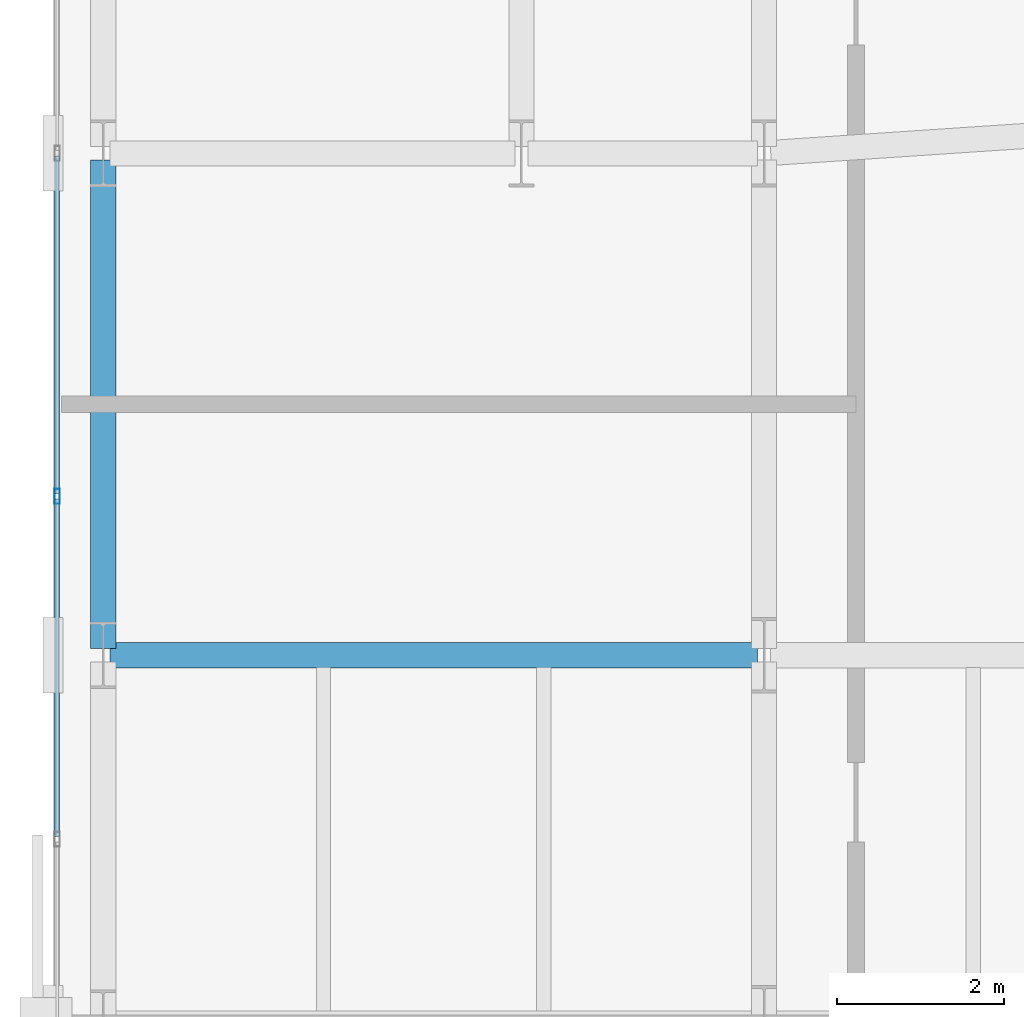
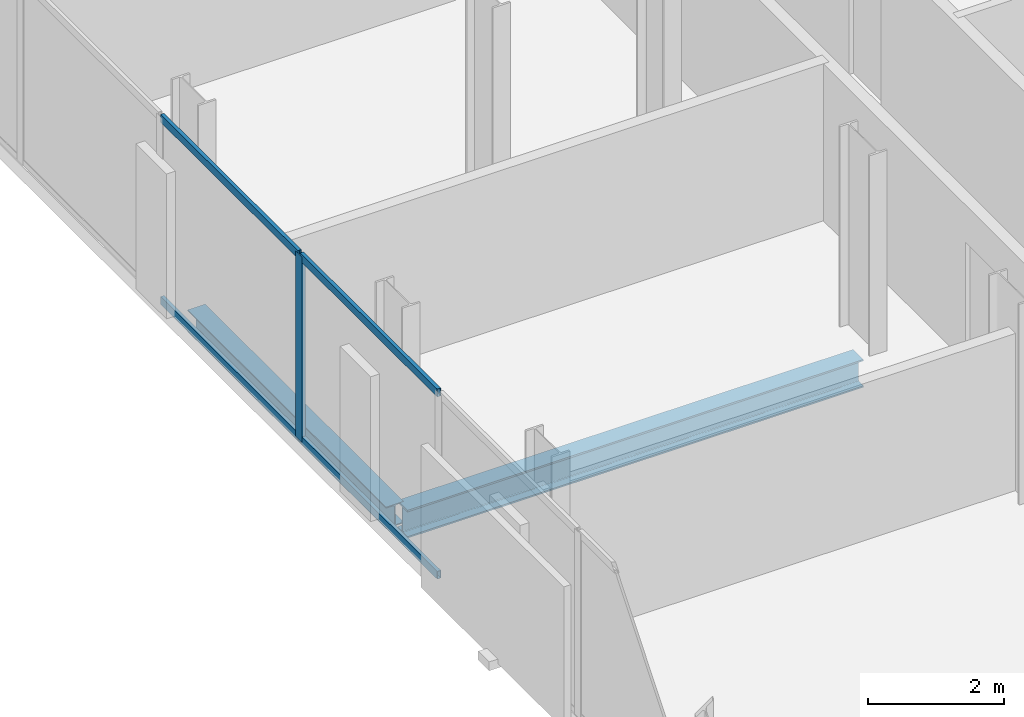
# One storey, part 9 of 32: 5 members, 2 beams, 1 element without a shape of its own.
"""IFC4 building model written with IfcOpenShell, lengths in metres."""

from ifc_helpers import new_model, si_unit, direction, frame, origin, origin_2d, place, context, subcontext, project, spatial, hollow_rectangle, i_section, extrude, material, layer, layer_set, material_profile, profile_set, type_object, element, aggregate, save


model = new_model("IFC4")

# Units and contexts
model_context = context("Model", 3, precision=1e-05, world=origin(), true_north=direction((0.0, 1.0)))
body_context = subcontext(model_context, "Body", "Model", "MODEL_VIEW")
ifc_project = project(units=[si_unit("LENGTHUNIT", "METRE"), si_unit("AREAUNIT", "SQUARE_METRE"), si_unit("VOLUMEUNIT", "CUBIC_METRE"), si_unit("PLANEANGLEUNIT", "RADIAN"), si_unit("MASSUNIT", "GRAM", prefix="KILO")], contexts=[model_context])

# Site, building, storey
site_placement = place(None, origin())
site = spatial("IfcSite", under=ifc_project, at=site_placement, CompositionType="ELEMENT")
building_placement = place(site_placement, origin())
building = spatial("IfcBuilding", under=site, at=building_placement, Name="Catumbela Crestline Tower", CompositionType="ELEMENT")
storey_placement = place(building_placement, frame((0.0, 0.0, 61.8)))
storey = spatial("IfcBuildingStorey", under=building, at=storey_placement, Name="L15", CompositionType="ELEMENT", Elevation=61.8)

# Beam
ifc_material_1 = material(Name="Structural steel S355J2", Category="steel")
ifc_material_profile_1 = material_profile(ifc_material_1, i_section(OverallWidth=0.3, OverallDepth=0.5, WebThickness=0.0145, FlangeThickness=0.028, FilletRadius=0.027, at=origin_2d()), Name="HEB 500")
ifc_profile_set_1 = profile_set([ifc_material_profile_1], Name="Structural steel S355J2")
beam_type_1 = type_object("IfcBeamType", Name="BG-HEB500", PredefinedType="BEAM", material=ifc_profile_set_1)
beam_1_placement = place(storey_placement, frame((0.68, 18.0, -0.51), z_axis=(1.0, 0.0, 0.0), x_axis=(0.0, 1.0, 0.0)))
element("IfcBeam", 1, at=beam_1_placement, inside=storey, type_object=beam_type_1, Name="L15 Beam BM-L15-WEW54", PredefinedType="BEAM", context=body_context, shape_type="SweptSolid", body=[
    extrude(i_section(OverallWidth=0.3, OverallDepth=0.5, WebThickness=0.0145, FlangeThickness=0.028, FilletRadius=0.027, at=origin_2d()), origin(), (0.0, 0.0, 1.0), 7.74),
])

# Curtain wall, member
ifc_material_2 = material(Name="Aluminium alloy AW-6060-T66", Category="aluminium")
ifc_layer = layer(ifc_material_2, 0.18, Name="Aluminium alloy AW-6060-T66")
ifc_layer_set = layer_set([ifc_layer], Name="Aluminium alloy AW-6060-T66")
curtain_wall_type = type_object("IfcCurtainWallType", Name="CWU-Z1", PredefinedType="USERDEFINED", material=ifc_layer_set)
curtain_wall_placement = place(storey_placement, origin())
curtain_wall = element("IfcCurtainWall", 2, at=curtain_wall_placement, inside=storey, type_object=curtain_wall_type, Name="L15 Unitised Curtain Wall CW-L15-E9S1", ObjectType="UNITISED", PredefinedType="USERDEFINED")
ifc_material_profile_2 = material_profile(ifc_material_2, hollow_rectangle(XDim=0.065, YDim=0.18, WallThickness=0.004, at=origin_2d()), Name="ALU 180x65x4")
ifc_profile_set_2 = profile_set([ifc_material_profile_2], Name="Aluminium alloy AW-6060-T66")
member_type_1 = type_object("IfcMemberType", Name="MUL-180X65", PredefinedType="MULLION", material=ifc_profile_set_2)
member_1_placement = place(storey_placement, frame((0.05, 19.9, 0.0), z_axis=(0.0, 0.0, 1.0), x_axis=(1.0, 0.0, 0.0)))
member_1 = element("IfcMember", 3, at=member_1_placement, type_object=member_type_1, Name="CWU-Z1 mullion 7", PredefinedType="MULLION", context=body_context, shape_type="SweptSolid", body=[
    extrude(hollow_rectangle(XDim=0.065, YDim=0.18, WallThickness=0.004, at=origin_2d()), origin(), (0.0, 0.0, 1.0), 3.33),
])

# Beam
ifc_material_profile_3 = material_profile(ifc_material_1, i_section(OverallWidth=0.3, OverallDepth=0.39, WebThickness=0.011, FlangeThickness=0.019, FilletRadius=0.027, at=origin_2d()), Name="HEA 400")
ifc_profile_set_3 = profile_set([ifc_material_profile_3], Name="Structural steel S355J2")
beam_type_2 = type_object("IfcBeamType", Name="BS-HEA400", PredefinedType="SPANDREL", material=ifc_profile_set_3)
beam_2_placement = place(storey_placement, frame((0.6, 18.08, -0.455), z_axis=(0.0, 1.0, 0.0), x_axis=(-1.0, 0.0, 0.0)))
element("IfcBeam", 4, at=beam_2_placement, inside=storey, type_object=beam_type_2, Name="L15 Spandrel SP-L15-WNS60", PredefinedType="SPANDREL", context=body_context, shape_type="SweptSolid", body=[
    extrude(i_section(OverallWidth=0.3, OverallDepth=0.39, WebThickness=0.011, FlangeThickness=0.019, FilletRadius=0.027, at=origin_2d()), origin(), (0.0, 0.0, 1.0), 5.84),
])

# Member
ifc_material_profile_4 = material_profile(ifc_material_2, hollow_rectangle(XDim=0.06, YDim=0.14, WallThickness=0.004, at=origin_2d()), Name="ALU 140x60x4")
ifc_profile_set_4 = profile_set([ifc_material_profile_4], Name="Aluminium alloy AW-6060-T66")
member_type_2 = type_object("IfcMemberType", Name="TRN-140X60", PredefinedType="USERDEFINED", material=ifc_profile_set_4)
member_2_placement = place(storey_placement, frame((0.05, 23.9675, 0.03), z_axis=(0.0, -1.0, 0.0), x_axis=(1.0, 0.0, 0.0)))
member_2 = element("IfcMember", 5, at=member_2_placement, type_object=member_type_2, Name="CWU-Z1 transom 6.1", ObjectType="TRANSOM", PredefinedType="USERDEFINED", context=body_context, shape_type="SweptSolid", body=[
    extrude(hollow_rectangle(XDim=0.06, YDim=0.14, WallThickness=0.004, at=origin_2d()), origin(), (0.0, 0.0, 1.0), 4.035),
])

member_3_placement = place(storey_placement, frame((0.05, 23.9675, 3.3), z_axis=(0.0, -1.0, 0.0), x_axis=(1.0, 0.0, 0.0)))
member_3 = element("IfcMember", 6, at=member_3_placement, type_object=member_type_2, Name="CWU-Z1 transom 6.2", ObjectType="TRANSOM", PredefinedType="USERDEFINED", context=body_context, shape_type="SweptSolid", body=[
    extrude(hollow_rectangle(XDim=0.06, YDim=0.14, WallThickness=0.004, at=origin_2d()), origin(), (0.0, 0.0, 1.0), 4.035),
])

member_4_placement = place(storey_placement, frame((0.05, 19.8675, 0.03), z_axis=(0.0, -1.0, 0.0), x_axis=(1.0, 0.0, 0.0)))
member_4 = element("IfcMember", 7, at=member_4_placement, type_object=member_type_2, Name="CWU-Z1 transom 7.1", ObjectType="TRANSOM", PredefinedType="USERDEFINED", context=body_context, shape_type="SweptSolid", body=[
    extrude(hollow_rectangle(XDim=0.06, YDim=0.14, WallThickness=0.004, at=origin_2d()), origin(), (0.0, 0.0, 1.0), 4.035),
])

member_5_placement = place(storey_placement, frame((0.05, 19.8675, 3.3), z_axis=(0.0, -1.0, 0.0), x_axis=(1.0, 0.0, 0.0)))
member_5 = element("IfcMember", 8, at=member_5_placement, type_object=member_type_2, Name="CWU-Z1 transom 7.2", ObjectType="TRANSOM", PredefinedType="USERDEFINED", context=body_context, shape_type="SweptSolid", body=[
    extrude(hollow_rectangle(XDim=0.06, YDim=0.14, WallThickness=0.004, at=origin_2d()), origin(), (0.0, 0.0, 1.0), 4.035),
])

aggregate(curtain_wall, [member_1, member_2, member_3, member_4, member_5])

save(model, "model.ifc")
